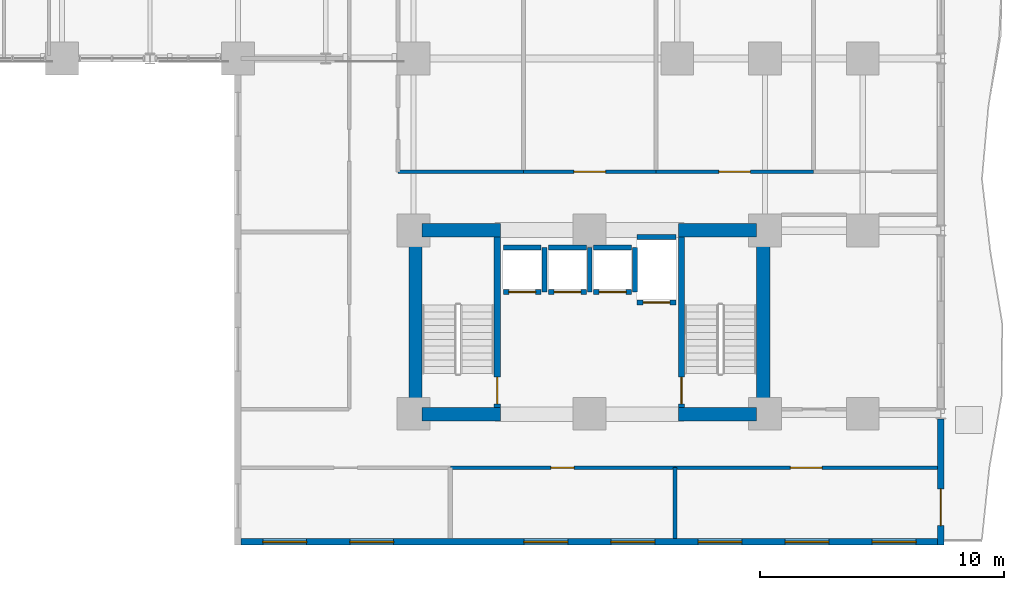
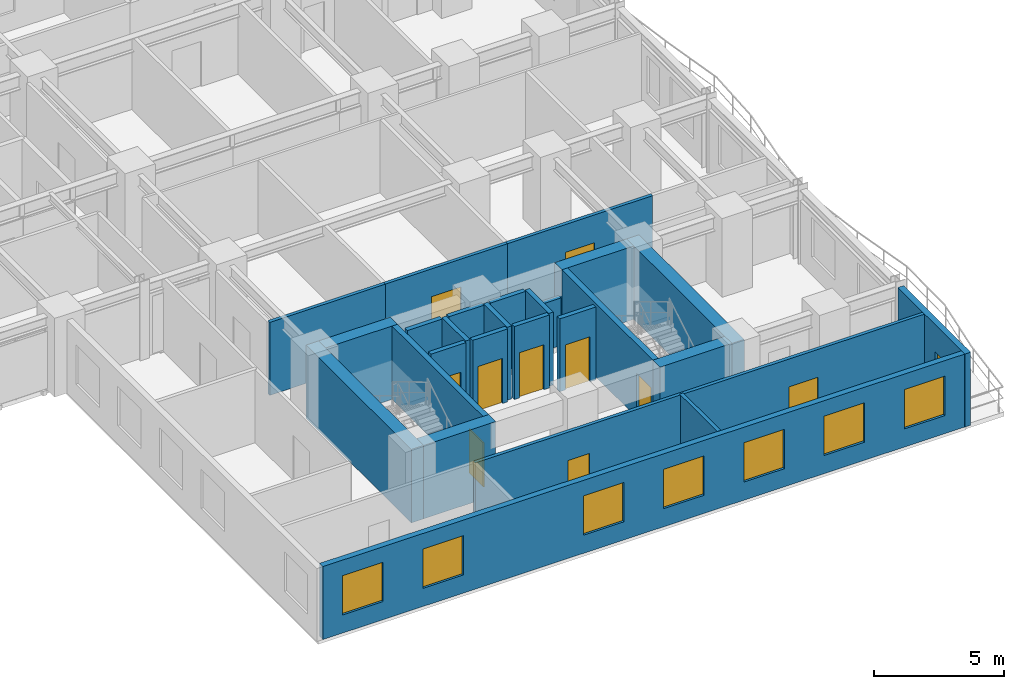
# One storey, part 10 of 17: 27 walls, 11 doors, 7 windows, 18 openings.
"""IFC4 building model written with IfcOpenShell, lengths in metres."""

from ifc_helpers import new_model, si_unit, direction, frame, frame_2d, origin, place, context, subcontext, project, spatial, rectangle, extrude, material, layer, layer_set, type_object, element, fill, save


model = new_model("IFC4")

# Units and contexts
model_context = context("Model", 3, precision=1e-05, world=origin(), true_north=direction((0.0, 1.0)))
body_context = subcontext(model_context, "Body", "Model", "MODEL_VIEW")
ifc_project = project(units=[si_unit("LENGTHUNIT", "METRE"), si_unit("AREAUNIT", "SQUARE_METRE"), si_unit("VOLUMEUNIT", "CUBIC_METRE"), si_unit("PLANEANGLEUNIT", "RADIAN"), si_unit("MASSUNIT", "GRAM", prefix="KILO")], contexts=[model_context])

# Site, building, storey
site_placement = place(None, origin())
site = spatial("IfcSite", under=ifc_project, at=site_placement, CompositionType="ELEMENT")
building_placement = place(site_placement, origin())
building = spatial("IfcBuilding", under=site, at=building_placement, Name="Kaliganga Portal Commons", CompositionType="ELEMENT")
storey_placement = place(building_placement, frame((0.0, 0.0, 43.800048828125)))
storey = spatial("IfcBuildingStorey", under=building, at=storey_placement, Name="L10", CompositionType="ELEMENT", Elevation=43.800048828125)

# Walls
ifc_material_1 = material(Name="Concrete C60/75", Category="concrete")
ifc_layer_1 = layer(ifc_material_1, 0.550048828125)
ifc_layer_set_1 = layer_set([ifc_layer_1], Name="Concrete C60/75")
wall_type_1 = type_object("IfcWallType", Name="WL-CORE-550", PredefinedType="SHEAR", material=ifc_layer_set_1)
for number, where, z_axis, x_axis, name in (
    (1, (36.074951171875, 6.75, 0.0), (0.0, 0.0, 1.0), (0.0, 1.0, 0.0), "Core B West Shear Wall L10"),
    (2, (50.324951171875, 6.75, 0.0), (0.0, 0.0, 1.0), (0.0, 1.0, 0.0), "Core B East Shear Wall L10"),
):
    element("IfcWall", number, at=place(storey_placement, frame(where, z_axis=z_axis, x_axis=x_axis)), inside=storey, type_object=wall_type_1, Name=name, PredefinedType="SHEAR", context=body_context, shape_type="SweptSolid", body=[
        extrude(rectangle(XDim=8.10009765625, YDim=0.550048828125, at=frame_2d((4.050048828125, 0.0))), origin(), (0.0, 0.0, 1.0), 3.449951171875),
    ])
for number, where, z_axis, x_axis, name in (
    (3, (36.35009765625, 7.02490234375, 0.0), (0.0, 0.0, 1.0), (1.0, 0.0, 0.0), "Core B S-West Shear Wall L10"),
    (4, (46.85009765625, 7.02490234375, 0.0), (0.0, 0.0, 1.0), (1.0, 0.0, 0.0), "Core B S-East Shear Wall L10"),
    (5, (36.35009765625, 14.574951171875, 0.0), (0.0, 0.0, 1.0), (1.0, 0.0, 0.0), "Core B N-West Shear Wall L10"),
    (6, (46.85009765625, 14.574951171875, 0.0), (0.0, 0.0, 1.0), (1.0, 0.0, 0.0), "Core B N-East Shear Wall L10"),
):
    element("IfcWall", number, at=place(storey_placement, frame(where, z_axis=z_axis, x_axis=x_axis)), inside=storey, type_object=wall_type_1, Name=name, PredefinedType="SHEAR", context=body_context, shape_type="SweptSolid", body=[
        extrude(rectangle(XDim=3.199951171875, YDim=0.550048828125, at=frame_2d((1.60009765625, 0.0))), origin(), (0.0, 0.0, 1.0), 3.449951171875),
    ])

# Wall, openings, windows
ifc_material_2 = material(Name="Insulated Aluminium-Clad Spandrel Assembly", Category="aluminium")
ifc_layer_2 = layer(ifc_material_2, 0.260009765625)
ifc_layer_set_2 = layer_set([ifc_layer_2], Name="Insulated Aluminium-Clad Spandrel Assembly")
wall_type_2 = type_object("IfcWallType", Name="WL-EXT-SPAND-260", PredefinedType="STANDARD", material=ifc_layer_set_2)
wall_1_placement = place(storey_placement, frame((57.465087890625, 1.800048828125, 0.0), z_axis=(0.0, 0.0, 1.0), x_axis=(-1.0, 0.0, 0.0)))
wall_1 = element("IfcWall", 7, at=wall_1_placement, inside=storey, type_object=wall_type_2, Name="Exterior Envelope Wall L10 P1-E00-S1", PredefinedType="STANDARD", context=body_context, shape_type="SweptSolid", body=[
    extrude(rectangle(XDim=28.530029296875, YDim=0.260009765625, at=frame_2d((14.26513671875, 0.0))), origin(), (0.0, 0.0, 1.0), 3.429931640625),
])
opening_1_placement = place(wall_1_placement, frame((0.883056640625, 0.0, 0.85009765625)))
opening_1 = element("IfcOpeningElement", 8, at=opening_1_placement, cuts=wall_1, Name="Opening W-01", PredefinedType="OPENING", context=body_context, shape_type="SweptSolid", body=[
    extrude(rectangle(XDim=1.800048828125, YDim=1.85009765625, at=frame_2d((0.89990234375, 0.925048828125))), frame((0.0, 0.14013671875, 0.0), z_axis=(0.0, -1.0, 0.0), x_axis=(1.0, 0.0, 0.0)), (0.0, 0.0, 1.0), 0.280029296875),
])
opening_2_placement = place(wall_1_placement, frame((4.449462890625, 0.0, 0.85009765625)))
opening_2 = element("IfcOpeningElement", 9, at=opening_2_placement, cuts=wall_1, Name="Opening W-01", PredefinedType="OPENING", context=body_context, shape_type="SweptSolid", body=[
    extrude(rectangle(XDim=1.800048828125, YDim=1.85009765625, at=frame_2d((0.89990234375, 0.925048828125))), frame((0.0, 0.14013671875, 0.0), z_axis=(0.0, -1.0, 0.0), x_axis=(1.0, 0.0, 0.0)), (0.0, 0.0, 1.0), 0.280029296875),
])
opening_3_placement = place(wall_1_placement, frame((8.015625, 0.0, 0.85009765625)))
opening_3 = element("IfcOpeningElement", 10, at=opening_3_placement, cuts=wall_1, Name="Opening W-01", PredefinedType="OPENING", context=body_context, shape_type="SweptSolid", body=[
    extrude(rectangle(XDim=1.800048828125, YDim=1.85009765625, at=frame_2d((0.89990234375, 0.925048828125))), frame((0.0, 0.14013671875, 0.0), z_axis=(0.0, -1.0, 0.0), x_axis=(1.0, 0.0, 0.0)), (0.0, 0.0, 1.0), 0.280029296875),
])
opening_4_placement = place(wall_1_placement, frame((11.581787109375, 0.0, 0.85009765625)))
opening_4 = element("IfcOpeningElement", 11, at=opening_4_placement, cuts=wall_1, Name="Opening W-01", PredefinedType="OPENING", context=body_context, shape_type="SweptSolid", body=[
    extrude(rectangle(XDim=1.800048828125, YDim=1.85009765625, at=frame_2d((0.89990234375, 0.925048828125))), frame((0.0, 0.14013671875, 0.0), z_axis=(0.0, -1.0, 0.0), x_axis=(1.0, 0.0, 0.0)), (0.0, 0.0, 1.0), 0.280029296875),
])
opening_5_placement = place(wall_1_placement, frame((15.148193359375, 0.0, 0.85009765625)))
opening_5 = element("IfcOpeningElement", 12, at=opening_5_placement, cuts=wall_1, Name="Opening W-01", PredefinedType="OPENING", context=body_context, shape_type="SweptSolid", body=[
    extrude(rectangle(XDim=1.800048828125, YDim=1.85009765625, at=frame_2d((0.89990234375, 0.925048828125))), frame((0.0, 0.14013671875, 0.0), z_axis=(0.0, -1.0, 0.0), x_axis=(1.0, 0.0, 0.0)), (0.0, 0.0, 1.0), 0.280029296875),
])
opening_6_placement = place(wall_1_placement, frame((22.280517578125, 0.0, 0.85009765625)))
opening_6 = element("IfcOpeningElement", 13, at=opening_6_placement, cuts=wall_1, Name="Opening W-01", PredefinedType="OPENING", context=body_context, shape_type="SweptSolid", body=[
    extrude(rectangle(XDim=1.800048828125, YDim=1.85009765625, at=frame_2d((0.89990234375, 0.925048828125))), frame((0.0, 0.14013671875, 0.0), z_axis=(0.0, -1.0, 0.0), x_axis=(1.0, 0.0, 0.0)), (0.0, 0.0, 1.0), 0.280029296875),
])
opening_7_placement = place(wall_1_placement, frame((25.846923828125, 0.0, 0.85009765625)))
opening_7 = element("IfcOpeningElement", 14, at=opening_7_placement, cuts=wall_1, Name="Opening W-01", PredefinedType="OPENING", context=body_context, shape_type="SweptSolid", body=[
    extrude(rectangle(XDim=1.800048828125, YDim=1.85009765625, at=frame_2d((0.89990234375, 0.925048828125))), frame((0.0, 0.14013671875, 0.0), z_axis=(0.0, -1.0, 0.0), x_axis=(1.0, 0.0, 0.0)), (0.0, 0.0, 1.0), 0.280029296875),
])
ifc_material_3 = material(Name="Thermally Broken Aluminium and Low-E Double Glazing", Category="aluminium")
window_type = type_object("IfcWindowType", Name="WIN-STD-1800", PartitioningType="DOUBLE_PANEL_VERTICAL", PredefinedType="WINDOW", material=ifc_material_3)
window_1_placement = place(opening_1_placement, origin())
window_1 = element("IfcWindow", 15, at=window_1_placement, inside=storey, type_object=window_type, Name="Facade Window L10-P1E00S1-00", OverallHeight=1.85009765625, OverallWidth=1.800048828125, PartitioningType="SINGLE_PANEL", PredefinedType="WINDOW", context=body_context, shape_type="SweptSolid", body=[
    extrude(rectangle(XDim=1.800048828125, YDim=1.85009765625, at=frame_2d((0.89990234375, 0.925048828125))), frame((0.0, 0.030029296875, 0.0), z_axis=(0.0, -1.0, 0.0), x_axis=(1.0, 0.0, 0.0)), (0.0, 0.0, 1.0), 0.06005859375),
])
fill(opening_1, window_1)
window_2_placement = place(opening_2_placement, origin())
window_2 = element("IfcWindow", 16, at=window_2_placement, inside=storey, type_object=window_type, Name="Facade Window L10-P1E00S1-01", OverallHeight=1.85009765625, OverallWidth=1.800048828125, PartitioningType="SINGLE_PANEL", PredefinedType="WINDOW", context=body_context, shape_type="SweptSolid", body=[
    extrude(rectangle(XDim=1.800048828125, YDim=1.85009765625, at=frame_2d((0.89990234375, 0.925048828125))), frame((0.0, 0.030029296875, 0.0), z_axis=(0.0, -1.0, 0.0), x_axis=(1.0, 0.0, 0.0)), (0.0, 0.0, 1.0), 0.06005859375),
])
fill(opening_2, window_2)
window_3_placement = place(opening_3_placement, origin())
window_3 = element("IfcWindow", 17, at=window_3_placement, inside=storey, type_object=window_type, Name="Facade Window L10-P1E00S1-02", OverallHeight=1.85009765625, OverallWidth=1.800048828125, PartitioningType="SINGLE_PANEL", PredefinedType="WINDOW", context=body_context, shape_type="SweptSolid", body=[
    extrude(rectangle(XDim=1.800048828125, YDim=1.85009765625, at=frame_2d((0.89990234375, 0.925048828125))), frame((0.0, 0.030029296875, 0.0), z_axis=(0.0, -1.0, 0.0), x_axis=(1.0, 0.0, 0.0)), (0.0, 0.0, 1.0), 0.06005859375),
])
fill(opening_3, window_3)
window_4_placement = place(opening_4_placement, origin())
window_4 = element("IfcWindow", 18, at=window_4_placement, inside=storey, type_object=window_type, Name="Facade Window L10-P1E00S1-03", OverallHeight=1.85009765625, OverallWidth=1.800048828125, PartitioningType="SINGLE_PANEL", PredefinedType="WINDOW", context=body_context, shape_type="SweptSolid", body=[
    extrude(rectangle(XDim=1.800048828125, YDim=1.85009765625, at=frame_2d((0.89990234375, 0.925048828125))), frame((0.0, 0.030029296875, 0.0), z_axis=(0.0, -1.0, 0.0), x_axis=(1.0, 0.0, 0.0)), (0.0, 0.0, 1.0), 0.06005859375),
])
fill(opening_4, window_4)
window_5_placement = place(opening_5_placement, origin())
window_5 = element("IfcWindow", 19, at=window_5_placement, inside=storey, type_object=window_type, Name="Facade Window L10-P1E00S1-04", OverallHeight=1.85009765625, OverallWidth=1.800048828125, PartitioningType="SINGLE_PANEL", PredefinedType="WINDOW", context=body_context, shape_type="SweptSolid", body=[
    extrude(rectangle(XDim=1.800048828125, YDim=1.85009765625, at=frame_2d((0.89990234375, 0.925048828125))), frame((0.0, 0.030029296875, 0.0), z_axis=(0.0, -1.0, 0.0), x_axis=(1.0, 0.0, 0.0)), (0.0, 0.0, 1.0), 0.06005859375),
])
fill(opening_5, window_5)
window_6_placement = place(opening_6_placement, origin())
window_6 = element("IfcWindow", 20, at=window_6_placement, inside=storey, type_object=window_type, Name="Facade Window L10-P1E00S1-06", OverallHeight=1.85009765625, OverallWidth=1.800048828125, PartitioningType="SINGLE_PANEL", PredefinedType="WINDOW", context=body_context, shape_type="SweptSolid", body=[
    extrude(rectangle(XDim=1.800048828125, YDim=1.85009765625, at=frame_2d((0.89990234375, 0.925048828125))), frame((0.0, 0.030029296875, 0.0), z_axis=(0.0, -1.0, 0.0), x_axis=(1.0, 0.0, 0.0)), (0.0, 0.0, 1.0), 0.06005859375),
])
fill(opening_6, window_6)
window_7_placement = place(opening_7_placement, origin())
window_7 = element("IfcWindow", 21, at=window_7_placement, inside=storey, type_object=window_type, Name="Facade Window L10-P1E00S1-07", OverallHeight=1.85009765625, OverallWidth=1.800048828125, PartitioningType="SINGLE_PANEL", PredefinedType="WINDOW", context=body_context, shape_type="SweptSolid", body=[
    extrude(rectangle(XDim=1.800048828125, YDim=1.85009765625, at=frame_2d((0.89990234375, 0.925048828125))), frame((0.0, 0.030029296875, 0.0), z_axis=(0.0, -1.0, 0.0), x_axis=(1.0, 0.0, 0.0)), (0.0, 0.0, 1.0), 0.06005859375),
])
fill(opening_7, window_7)

# Wall, opening, door
wall_2_placement = place(storey_placement, frame((57.60009765625, 6.825927734375, 0.0), z_axis=(0.0, 0.0, 1.0), x_axis=(0.0, -1.0, 0.0)))
wall_2 = element("IfcWall", 22, at=wall_2_placement, inside=storey, type_object=wall_type_2, Name="Exterior Envelope Wall L10 P1-E01-S1", PredefinedType="STANDARD", context=body_context, shape_type="SweptSolid", body=[
    extrude(rectangle(XDim=5.156005859375, YDim=0.260009765625, at=frame_2d((2.578125, 0.0))), origin(), (0.0, 0.0, 1.0), 3.429931640625),
])
opening_8_placement = place(wall_2_placement, frame((2.85888671875, 0.0, 0.0)))
opening_8 = element("IfcOpeningElement", 23, at=opening_8_placement, cuts=wall_2, Name="Opening BD-01", PredefinedType="OPENING", context=body_context, shape_type="SweptSolid", body=[
    extrude(rectangle(XDim=1.5, YDim=2.14990234375, at=frame_2d((0.75, 1.074951171875))), frame((0.0, 0.14013671875, 0.0), z_axis=(0.0, -1.0, 0.0), x_axis=(1.0, 0.0, 0.0)), (0.0, 0.0, 1.0), 0.280029296875),
])
ifc_material_4 = material(Name="Anodized Aluminium and Laminated Safety Glass", Category="aluminium")
door_type_1 = type_object("IfcDoorType", Name="DR-BALC-1500", OperationType="SLIDING_TO_LEFT", PredefinedType="DOOR", material=ifc_material_4)
door_1_placement = place(opening_8_placement, origin())
door_1 = element("IfcDoor", 24, at=door_1_placement, inside=storey, type_object=door_type_1, Name="Balcony Sliding Door L10 balc_east", OperationType="SLIDING_TO_LEFT", OverallHeight=2.14990234375, OverallWidth=1.5, PredefinedType="DOOR", context=body_context, shape_type="SweptSolid", body=[
    extrude(rectangle(XDim=1.5, YDim=2.14990234375, at=frame_2d((0.75, 1.074951171875))), frame((0.0, 0.02490234375, 0.0), z_axis=(0.0, -1.0, 0.0), x_axis=(1.0, 0.0, 0.0)), (0.0, 0.0, 1.0), 0.050048828125),
])
fill(opening_8, door_1)

ifc_material_5 = material(Name="Fire-Rated Gypsum Board on Steel Stud", Category="steel")
ifc_layer_3 = layer(ifc_material_5, 0.14990234375)
ifc_layer_set_3 = layer_set([ifc_layer_3], Name="Fire-Rated Gypsum Board on Steel Stud")
wall_type_3 = type_object("IfcWallType", Name="WL-PART-CORR-150", PredefinedType="PARTITIONING", material=ifc_layer_set_3)
wall_3_placement = place(storey_placement, frame((46.699951171875, 4.840087890625, 0.0), z_axis=(0.0, 0.0, 1.0), x_axis=(1.0, 0.0, 0.0)))
wall_3 = element("IfcWall", 25, at=wall_3_placement, inside=storey, type_object=wall_type_3, Name="Interior Partition L10-008", PredefinedType="PARTITIONING", context=body_context, shape_type="SweptSolid", body=[
    extrude(rectangle(XDim=10.76806640625, YDim=0.14990234375, at=frame_2d((5.384033203125, 0.0))), origin(), (0.0, 0.0, 1.0), 3.429931640625),
])
opening_9_placement = place(wall_3_placement, frame((4.73388671875, 0.0, 0.0)))
opening_9 = element("IfcOpeningElement", 26, at=opening_9_placement, cuts=wall_3, Name="Opening RD-03", PredefinedType="OPENING", context=body_context, shape_type="SweptSolid", body=[
    extrude(rectangle(XDim=1.300048828125, YDim=2.1201171875, at=frame_2d((0.64990234375, 1.06005859375))), frame((0.0, 0.0849609375, 0.0), z_axis=(0.0, -1.0, 0.0), x_axis=(1.0, 0.0, 0.0)), (0.0, 0.0, 1.0), 0.169921875),
])
ifc_material_6 = material(Name="Glazed Timber Seminar Vision Door", Category="wood")
door_type_2 = type_object("IfcDoorType", Name="DR-STUDY-1300", OperationType="DOUBLE_DOOR_SINGLE_SWING", PredefinedType="DOOR", material=ifc_material_6)
door_2_placement = place(opening_9_placement, origin())
door_2 = element("IfcDoor", 27, at=door_2_placement, inside=storey, type_object=door_type_2, Name="Interior Door L10-BS03", OperationType="DOUBLE_DOOR_SINGLE_SWING", OverallHeight=2.1201171875, OverallWidth=1.300048828125, PredefinedType="DOOR", context=body_context, shape_type="SweptSolid", body=[
    extrude(rectangle(XDim=1.300048828125, YDim=2.1201171875, at=frame_2d((0.64990234375, 1.06005859375))), frame((0.0, 0.02490234375, 0.0), z_axis=(0.0, -1.0, 0.0), x_axis=(1.0, 0.0, 0.0)), (0.0, 0.0, 1.0), 0.050048828125),
])
fill(opening_9, door_2)

wall_4_placement = place(storey_placement, frame((37.5, 4.840087890625, 0.0), z_axis=(0.0, 0.0, 1.0), x_axis=(1.0, 0.0, 0.0)))
wall_4 = element("IfcWall", 28, at=wall_4_placement, inside=storey, type_object=wall_type_3, Name="Interior Partition L10-012", PredefinedType="PARTITIONING", context=body_context, shape_type="SweptSolid", body=[
    extrude(rectangle(XDim=9.199951171875, YDim=0.14990234375, at=frame_2d((4.60009765625, 0.0))), origin(), (0.0, 0.0, 1.0), 3.429931640625),
])
opening_10_placement = place(wall_4_placement, frame((4.125, 0.0, 0.0)))
opening_10 = element("IfcOpeningElement", 29, at=opening_10_placement, cuts=wall_4, Name="Opening UD-01", PredefinedType="OPENING", context=body_context, shape_type="SweptSolid", body=[
    extrude(rectangle(XDim=0.949951171875, YDim=2.10009765625, at=frame_2d((0.47509765625, 1.050048828125))), frame((0.0, 0.0849609375, 0.0), z_axis=(0.0, -1.0, 0.0), x_axis=(1.0, 0.0, 0.0)), (0.0, 0.0, 1.0), 0.169921875),
])
ifc_material_7 = material(Name="Solid-Core Timber Acoustic Fire Door", Category="wood")
door_type_3 = type_object("IfcDoorType", Name="DR-UNIT-950", OperationType="NOTDEFINED", PredefinedType="DOOR", material=ifc_material_7)
door_3_placement = place(opening_10_placement, origin())
door_3 = element("IfcDoor", 30, at=door_3_placement, inside=storey, type_object=door_type_3, Name="Interior Door L10-BS02", OperationType="SINGLE_SWING_LEFT", OverallHeight=2.10009765625, OverallWidth=0.949951171875, PredefinedType="DOOR", context=body_context, shape_type="SweptSolid", body=[
    extrude(rectangle(XDim=0.949951171875, YDim=2.10009765625, at=frame_2d((0.47509765625, 1.050048828125))), frame((0.0, 0.02490234375, 0.0), z_axis=(0.0, -1.0, 0.0), x_axis=(1.0, 0.0, 0.0)), (0.0, 0.0, 1.0), 0.050048828125),
])
fill(opening_10, door_3)

wall_5_placement = place(storey_placement, frame((45.919921875, 16.9599609375, 0.0), z_axis=(0.0, 0.0, 1.0), x_axis=(1.0, 0.0, 0.0)))
wall_5 = element("IfcWall", 31, at=wall_5_placement, inside=storey, type_object=wall_type_3, Name="Interior Partition L10-027", PredefinedType="PARTITIONING", context=body_context, shape_type="SweptSolid", body=[
    extrude(rectangle(XDim=6.4599609375, YDim=0.14990234375, at=frame_2d((3.22998046875, 0.0))), origin(), (0.0, 0.0, 1.0), 3.429931640625),
])
opening_11_placement = place(wall_5_placement, frame((2.580078125, 0.0, 0.0)))
opening_11 = element("IfcOpeningElement", 32, at=opening_11_placement, cuts=wall_5, Name="Opening RD-03", PredefinedType="OPENING", context=body_context, shape_type="SweptSolid", body=[
    extrude(rectangle(XDim=1.300048828125, YDim=2.1201171875, at=frame_2d((0.64990234375, 1.06005859375))), frame((0.0, 0.0849609375, 0.0), z_axis=(0.0, -1.0, 0.0), x_axis=(1.0, 0.0, 0.0)), (0.0, 0.0, 1.0), 0.169921875),
])
door_4_placement = place(opening_11_placement, origin())
door_4 = element("IfcDoor", 33, at=door_4_placement, inside=storey, type_object=door_type_2, Name="Interior Door L10-BM03", OperationType="DOUBLE_DOOR_SINGLE_SWING", OverallHeight=2.1201171875, OverallWidth=1.300048828125, PredefinedType="DOOR", context=body_context, shape_type="SweptSolid", body=[
    extrude(rectangle(XDim=1.300048828125, YDim=2.1201171875, at=frame_2d((0.64990234375, 1.06005859375))), frame((0.0, 0.02490234375, 0.0), z_axis=(0.0, -1.0, 0.0), x_axis=(1.0, 0.0, 0.0)), (0.0, 0.0, 1.0), 0.050048828125),
])
fill(opening_11, door_4)

wall_6_placement = place(storey_placement, frame((40.5, 16.9599609375, 0.0), z_axis=(0.0, 0.0, 1.0), x_axis=(1.0, 0.0, 0.0)))
wall_6 = element("IfcWall", 34, at=wall_6_placement, inside=storey, type_object=wall_type_3, Name="Interior Partition L10-029", PredefinedType="PARTITIONING", context=body_context, shape_type="SweptSolid", body=[
    extrude(rectangle(XDim=5.419921875, YDim=0.14990234375, at=frame_2d((2.7099609375, 0.0))), origin(), (0.0, 0.0, 1.0), 3.429931640625),
])
opening_12_placement = place(wall_6_placement, frame((2.06005859375, 0.0, 0.0)))
opening_12 = element("IfcOpeningElement", 35, at=opening_12_placement, cuts=wall_6, Name="Opening RD-03", PredefinedType="OPENING", context=body_context, shape_type="SweptSolid", body=[
    extrude(rectangle(XDim=1.300048828125, YDim=2.1201171875, at=frame_2d((0.64990234375, 1.06005859375))), frame((0.0, 0.0849609375, 0.0), z_axis=(0.0, -1.0, 0.0), x_axis=(1.0, 0.0, 0.0)), (0.0, 0.0, 1.0), 0.169921875),
])
door_5_placement = place(opening_12_placement, origin())
door_5 = element("IfcDoor", 36, at=door_5_placement, inside=storey, type_object=door_type_2, Name="Interior Door L10-BM02", OperationType="DOUBLE_DOOR_SINGLE_SWING", OverallHeight=2.1201171875, OverallWidth=1.300048828125, PredefinedType="DOOR", context=body_context, shape_type="SweptSolid", body=[
    extrude(rectangle(XDim=1.300048828125, YDim=2.1201171875, at=frame_2d((0.64990234375, 1.06005859375))), frame((0.0, 0.02490234375, 0.0), z_axis=(0.0, -1.0, 0.0), x_axis=(1.0, 0.0, 0.0)), (0.0, 0.0, 1.0), 0.050048828125),
])
fill(opening_12, door_5)

# Walls
wall_7_placement = place(storey_placement, frame((35.360107421875, 16.9599609375, 0.0), z_axis=(0.0, 0.0, 1.0), x_axis=(1.0, 0.0, 0.0)))
element("IfcWall", 37, at=wall_7_placement, inside=storey, type_object=wall_type_3, Name="Interior Partition L10-032", PredefinedType="PARTITIONING", context=body_context, shape_type="SweptSolid", body=[
    extrude(rectangle(XDim=5.139892578125, YDim=0.14990234375, at=frame_2d((2.56982421875, 0.0))), origin(), (0.0, 0.0, 1.0), 3.429931640625),
])
ifc_material_8 = material(Name="Twin-Stud Acoustic Gypsum Partition", Category="gypsum")
ifc_layer_4 = layer(ifc_material_8, 0.1650390625)
ifc_layer_set_4 = layer_set([ifc_layer_4], Name="Twin-Stud Acoustic Gypsum Partition")
wall_type_4 = type_object("IfcWallType", Name="WL-PART-UNIT-165", PredefinedType="PARTITIONING", material=ifc_layer_set_4)
wall_8_placement = place(storey_placement, frame((46.699951171875, 1.931884765625, 0.0), z_axis=(0.0, 0.0, 1.0), x_axis=(0.0, 1.0, 0.0)))
element("IfcWall", 38, at=wall_8_placement, inside=storey, type_object=wall_type_4, Name="Interior Partition L10-091", PredefinedType="PARTITIONING", context=body_context, shape_type="SweptSolid", body=[
    extrude(rectangle(XDim=2.908203125, YDim=0.1650390625, at=frame_2d((1.4541015625, 0.0))), origin(), (0.0, 0.0, 1.0), 3.429931640625),
])

# Wall, opening, door
ifc_material_9 = material(Name="Fire-Rated Shaftwall Masonry Assembly", Category="masonry")
ifc_layer_5 = layer(ifc_material_9, 0.199951171875)
ifc_layer_set_5 = layer_set([ifc_layer_5], Name="Fire-Rated Shaftwall Masonry Assembly")
wall_type_5 = type_object("IfcWallType", Name="WL-SHAFT-200", PredefinedType="PARTITIONING", material=ifc_layer_set_5)
wall_9_placement = place(storey_placement, frame((39.675048828125, 12.034912109375, 0.0), z_axis=(0.0, 0.0, 1.0), x_axis=(1.0, 0.0, 0.0)))
wall_9 = element("IfcWall", 39, at=wall_9_placement, inside=storey, type_object=wall_type_5, Name="Lift PL-B1 Hoistway Shaft Wall L10-S", PredefinedType="PARTITIONING", context=body_context, shape_type="SweptSolid", body=[
    extrude(rectangle(XDim=1.550048828125, YDim=0.199951171875, at=frame_2d((0.77490234375, 0.0))), origin(), (0.0, 0.0, 1.0), 3.429931640625),
])
opening_13_placement = place(wall_9_placement, frame((0.22509765625, 0.0, 0.0)))
opening_13 = element("IfcOpeningElement", 40, at=opening_13_placement, cuts=wall_9, Name="Opening LD-01", PredefinedType="OPENING", context=body_context, shape_type="SweptSolid", body=[
    extrude(rectangle(XDim=1.10009765625, YDim=2.1201171875, at=frame_2d((0.550048828125, 1.06005859375))), frame((0.0, 0.10986328125, 0.0), z_axis=(0.0, -1.0, 0.0), x_axis=(1.0, 0.0, 0.0)), (0.0, 0.0, 1.0), 0.219970703125),
])
ifc_material_10 = material(Name="Brushed Stainless Steel 316 Lift Landing Door", Category="steel")
door_type_4 = type_object("IfcDoorType", Name="DR-LIFT-1100", OperationType="SLIDING_TO_LEFT", PredefinedType="DOOR", material=ifc_material_10)
door_6_placement = place(opening_13_placement, origin())
door_6 = element("IfcDoor", 41, at=door_6_placement, inside=storey, type_object=door_type_4, Name="Lift PL-B1 Sliding Landing Door L10", OperationType="SLIDING_TO_LEFT", OverallHeight=2.1201171875, OverallWidth=1.10009765625, PredefinedType="DOOR", context=body_context, shape_type="SweptSolid", body=[
    extrude(rectangle(XDim=1.10009765625, YDim=2.1201171875, at=frame_2d((0.550048828125, 1.06005859375))), frame((0.0, 0.02490234375, 0.0), z_axis=(0.0, -1.0, 0.0), x_axis=(1.0, 0.0, 0.0)), (0.0, 0.0, 1.0), 0.050048828125),
])
fill(opening_13, door_6)

# Walls
wall_10_placement = place(storey_placement, frame((39.675048828125, 13.864990234375, 0.0), z_axis=(0.0, 0.0, 1.0), x_axis=(1.0, 0.0, 0.0)))
element("IfcWall", 42, at=wall_10_placement, inside=storey, type_object=wall_type_5, Name="Lift PL-B1 Hoistway Shaft Wall L10-N", PredefinedType="PARTITIONING", context=body_context, shape_type="SweptSolid", body=[
    extrude(rectangle(XDim=1.550048828125, YDim=0.199951171875, at=frame_2d((0.77490234375, 0.0))), origin(), (0.0, 0.0, 1.0), 3.429931640625),
])
wall_11_placement = place(storey_placement, frame((41.364990234375, 12.034912109375, 0.0), z_axis=(0.0, 0.0, 1.0), x_axis=(0.0, 1.0, 0.0)))
element("IfcWall", 43, at=wall_11_placement, inside=storey, type_object=wall_type_5, Name="Lift PL-B1 Hoistway Shaft Wall L10-E", PredefinedType="PARTITIONING", context=body_context, shape_type="SweptSolid", body=[
    extrude(rectangle(XDim=1.830078125, YDim=0.199951171875, at=frame_2d((0.9150390625, 0.0))), origin(), (0.0, 0.0, 1.0), 3.429931640625),
])

# Wall, opening, door
wall_12_placement = place(storey_placement, frame((41.52490234375, 12.034912109375, 0.0), z_axis=(0.0, 0.0, 1.0), x_axis=(1.0, 0.0, 0.0)))
wall_12 = element("IfcWall", 44, at=wall_12_placement, inside=storey, type_object=wall_type_5, Name="Lift PL-B2 Hoistway Shaft Wall L10-S", PredefinedType="PARTITIONING", context=body_context, shape_type="SweptSolid", body=[
    extrude(rectangle(XDim=1.550048828125, YDim=0.199951171875, at=frame_2d((0.77490234375, 0.0))), origin(), (0.0, 0.0, 1.0), 3.429931640625),
])
opening_14_placement = place(wall_12_placement, frame((0.22509765625, 0.0, 0.0)))
opening_14 = element("IfcOpeningElement", 45, at=opening_14_placement, cuts=wall_12, Name="Opening LD-01", PredefinedType="OPENING", context=body_context, shape_type="SweptSolid", body=[
    extrude(rectangle(XDim=1.10009765625, YDim=2.1201171875, at=frame_2d((0.550048828125, 1.06005859375))), frame((0.0, 0.10986328125, 0.0), z_axis=(0.0, -1.0, 0.0), x_axis=(1.0, 0.0, 0.0)), (0.0, 0.0, 1.0), 0.219970703125),
])
door_7_placement = place(opening_14_placement, origin())
door_7 = element("IfcDoor", 46, at=door_7_placement, inside=storey, type_object=door_type_4, Name="Lift PL-B2 Sliding Landing Door L10", OperationType="SLIDING_TO_LEFT", OverallHeight=2.1201171875, OverallWidth=1.10009765625, PredefinedType="DOOR", context=body_context, shape_type="SweptSolid", body=[
    extrude(rectangle(XDim=1.10009765625, YDim=2.1201171875, at=frame_2d((0.550048828125, 1.06005859375))), frame((0.0, 0.02490234375, 0.0), z_axis=(0.0, -1.0, 0.0), x_axis=(1.0, 0.0, 0.0)), (0.0, 0.0, 1.0), 0.050048828125),
])
fill(opening_14, door_7)

# Walls
wall_13_placement = place(storey_placement, frame((41.52490234375, 13.864990234375, 0.0), z_axis=(0.0, 0.0, 1.0), x_axis=(1.0, 0.0, 0.0)))
element("IfcWall", 47, at=wall_13_placement, inside=storey, type_object=wall_type_5, Name="Lift PL-B2 Hoistway Shaft Wall L10-N", PredefinedType="PARTITIONING", context=body_context, shape_type="SweptSolid", body=[
    extrude(rectangle(XDim=1.550048828125, YDim=0.199951171875, at=frame_2d((0.77490234375, 0.0))), origin(), (0.0, 0.0, 1.0), 3.429931640625),
])
wall_14_placement = place(storey_placement, frame((43.215087890625, 12.034912109375, 0.0), z_axis=(0.0, 0.0, 1.0), x_axis=(0.0, 1.0, 0.0)))
element("IfcWall", 48, at=wall_14_placement, inside=storey, type_object=wall_type_5, Name="Lift PL-B2 Hoistway Shaft Wall L10-E", PredefinedType="PARTITIONING", context=body_context, shape_type="SweptSolid", body=[
    extrude(rectangle(XDim=1.830078125, YDim=0.199951171875, at=frame_2d((0.9150390625, 0.0))), origin(), (0.0, 0.0, 1.0), 3.429931640625),
])

# Wall, opening, door
wall_15_placement = place(storey_placement, frame((43.375, 12.034912109375, 0.0), z_axis=(0.0, 0.0, 1.0), x_axis=(1.0, 0.0, 0.0)))
wall_15 = element("IfcWall", 49, at=wall_15_placement, inside=storey, type_object=wall_type_5, Name="Lift SH-2 Hoistway Shaft Wall L10-S", PredefinedType="PARTITIONING", context=body_context, shape_type="SweptSolid", body=[
    extrude(rectangle(XDim=1.550048828125, YDim=0.199951171875, at=frame_2d((0.77490234375, 0.0))), origin(), (0.0, 0.0, 1.0), 3.429931640625),
])
opening_15_placement = place(wall_15_placement, frame((0.22509765625, 0.0, 0.0)))
opening_15 = element("IfcOpeningElement", 50, at=opening_15_placement, cuts=wall_15, Name="Opening LD-01", PredefinedType="OPENING", context=body_context, shape_type="SweptSolid", body=[
    extrude(rectangle(XDim=1.10009765625, YDim=2.1201171875, at=frame_2d((0.550048828125, 1.06005859375))), frame((0.0, 0.10986328125, 0.0), z_axis=(0.0, -1.0, 0.0), x_axis=(1.0, 0.0, 0.0)), (0.0, 0.0, 1.0), 0.219970703125),
])
door_8_placement = place(opening_15_placement, origin())
door_8 = element("IfcDoor", 51, at=door_8_placement, inside=storey, type_object=door_type_4, Name="Lift SH-2 Sliding Landing Door L10", OperationType="SLIDING_TO_LEFT", OverallHeight=2.1201171875, OverallWidth=1.10009765625, PredefinedType="DOOR", context=body_context, shape_type="SweptSolid", body=[
    extrude(rectangle(XDim=1.10009765625, YDim=2.1201171875, at=frame_2d((0.550048828125, 1.06005859375))), frame((0.0, 0.02490234375, 0.0), z_axis=(0.0, -1.0, 0.0), x_axis=(1.0, 0.0, 0.0)), (0.0, 0.0, 1.0), 0.050048828125),
])
fill(opening_15, door_8)

# Walls
wall_16_placement = place(storey_placement, frame((43.375, 13.864990234375, 0.0), z_axis=(0.0, 0.0, 1.0), x_axis=(1.0, 0.0, 0.0)))
element("IfcWall", 52, at=wall_16_placement, inside=storey, type_object=wall_type_5, Name="Lift SH-2 Hoistway Shaft Wall L10-N", PredefinedType="PARTITIONING", context=body_context, shape_type="SweptSolid", body=[
    extrude(rectangle(XDim=1.550048828125, YDim=0.199951171875, at=frame_2d((0.77490234375, 0.0))), origin(), (0.0, 0.0, 1.0), 3.429931640625),
])
wall_17_placement = place(storey_placement, frame((45.06494140625, 12.034912109375, 0.0), z_axis=(0.0, 0.0, 1.0), x_axis=(0.0, 1.0, 0.0)))
element("IfcWall", 53, at=wall_17_placement, inside=storey, type_object=wall_type_5, Name="Lift SH-2 Hoistway Shaft Wall L10-E", PredefinedType="PARTITIONING", context=body_context, shape_type="SweptSolid", body=[
    extrude(rectangle(XDim=1.830078125, YDim=0.199951171875, at=frame_2d((0.9150390625, 0.0))), origin(), (0.0, 0.0, 1.0), 3.429931640625),
])

# Wall, opening, door
wall_18_placement = place(storey_placement, frame((45.14990234375, 11.610107421875, 0.0), z_axis=(0.0, 0.0, 1.0), x_axis=(1.0, 0.0, 0.0)))
wall_18 = element("IfcWall", 54, at=wall_18_placement, inside=storey, type_object=wall_type_5, Name="Lift SL-B1 Hoistway Shaft Wall L10-S", PredefinedType="PARTITIONING", context=body_context, shape_type="SweptSolid", body=[
    extrude(rectangle(XDim=1.60009765625, YDim=0.199951171875, at=frame_2d((0.800048828125, 0.0))), origin(), (0.0, 0.0, 1.0), 3.429931640625),
])
opening_16_placement = place(wall_18_placement, frame((0.25, 0.0, 0.0)))
opening_16 = element("IfcOpeningElement", 55, at=opening_16_placement, cuts=wall_18, Name="Opening LD-01", PredefinedType="OPENING", context=body_context, shape_type="SweptSolid", body=[
    extrude(rectangle(XDim=1.10009765625, YDim=2.1201171875, at=frame_2d((0.550048828125, 1.06005859375))), frame((0.0, 0.10986328125, 0.0), z_axis=(0.0, -1.0, 0.0), x_axis=(1.0, 0.0, 0.0)), (0.0, 0.0, 1.0), 0.219970703125),
])
door_9_placement = place(opening_16_placement, origin())
door_9 = element("IfcDoor", 56, at=door_9_placement, inside=storey, type_object=door_type_4, Name="Lift SL-B1 Sliding Landing Door L10", OperationType="SLIDING_TO_LEFT", OverallHeight=2.1201171875, OverallWidth=1.10009765625, PredefinedType="DOOR", context=body_context, shape_type="SweptSolid", body=[
    extrude(rectangle(XDim=1.10009765625, YDim=2.1201171875, at=frame_2d((0.550048828125, 1.06005859375))), frame((0.0, 0.02490234375, 0.0), z_axis=(0.0, -1.0, 0.0), x_axis=(1.0, 0.0, 0.0)), (0.0, 0.0, 1.0), 0.050048828125),
])
fill(opening_16, door_9)

# Wall
wall_19_placement = place(storey_placement, frame((45.14990234375, 14.2900390625, 0.0), z_axis=(0.0, 0.0, 1.0), x_axis=(1.0, 0.0, 0.0)))
element("IfcWall", 57, at=wall_19_placement, inside=storey, type_object=wall_type_5, Name="Lift SL-B1 Hoistway Shaft Wall L10-N", PredefinedType="PARTITIONING", context=body_context, shape_type="SweptSolid", body=[
    extrude(rectangle(XDim=1.60009765625, YDim=0.199951171875, at=frame_2d((0.800048828125, 0.0))), origin(), (0.0, 0.0, 1.0), 2.22998046875),
])

# Wall, opening, door
ifc_material_11 = material(Name="Concrete C50/60", Category="concrete")
ifc_layer_6 = layer(ifc_material_11, 0.25)
ifc_layer_set_6 = layer_set([ifc_layer_6], Name="Concrete C50/60")
wall_type_6 = type_object("IfcWallType", Name="WL-STAIR-250", PredefinedType="SHEAR", material=ifc_layer_set_6)
wall_20_placement = place(storey_placement, frame((39.425048828125, 7.300048828125, 0.0), z_axis=(0.0, 0.0, 1.0), x_axis=(0.0, 1.0, 0.0)))
wall_20 = element("IfcWall", 58, at=wall_20_placement, inside=storey, type_object=wall_type_6, Name="Stair B1 Enclosure Shear Wall L10", PredefinedType="SHEAR", context=body_context, shape_type="SweptSolid", body=[
    extrude(rectangle(XDim=7.0, YDim=0.25, at=frame_2d((3.5, 0.0))), origin(), (0.0, 0.0, 1.0), 3.449951171875),
])
opening_17_placement = place(wall_20_placement, frame((0.14990234375, 0.0, 0.0)))
opening_17 = element("IfcOpeningElement", 59, at=opening_17_placement, cuts=wall_20, Name="Opening SD-01", PredefinedType="OPENING", context=body_context, shape_type="SweptSolid", body=[
    extrude(rectangle(XDim=1.10009765625, YDim=2.080078125, at=frame_2d((0.550048828125, 1.0400390625))), frame((0.0, 0.135009765625, 0.0), z_axis=(0.0, -1.0, 0.0), x_axis=(1.0, 0.0, 0.0)), (0.0, 0.0, 1.0), 0.27001953125),
])
ifc_material_12 = material(Name="Galvanized Steel Fire Door Leaf and Frame", Category="steel")
door_type_5 = type_object("IfcDoorType", Name="DR-STAIR-1100", OperationType="NOTDEFINED", PredefinedType="DOOR", material=ifc_material_12)
door_10_placement = place(opening_17_placement, origin())
door_10 = element("IfcDoor", 60, at=door_10_placement, inside=storey, type_object=door_type_5, Name="Protected Stair ST-B1 Fire Door L10", OperationType="SINGLE_SWING_RIGHT", OverallHeight=2.080078125, OverallWidth=1.10009765625, PredefinedType="DOOR", context=body_context, shape_type="SweptSolid", body=[
    extrude(rectangle(XDim=1.10009765625, YDim=2.080078125, at=frame_2d((0.550048828125, 1.0400390625))), frame((0.0, 0.02490234375, 0.0), z_axis=(0.0, -1.0, 0.0), x_axis=(1.0, 0.0, 0.0)), (0.0, 0.0, 1.0), 0.050048828125),
])
fill(opening_17, door_10)

wall_21_placement = place(storey_placement, frame((46.97509765625, 7.300048828125, 0.0), z_axis=(0.0, 0.0, 1.0), x_axis=(0.0, 1.0, 0.0)))
wall_21 = element("IfcWall", 61, at=wall_21_placement, inside=storey, type_object=wall_type_6, Name="Stair B2 Enclosure Shear Wall L10", PredefinedType="SHEAR", context=body_context, shape_type="SweptSolid", body=[
    extrude(rectangle(XDim=7.0, YDim=0.25, at=frame_2d((3.5, 0.0))), origin(), (0.0, 0.0, 1.0), 3.449951171875),
])
opening_18_placement = place(wall_21_placement, frame((0.14990234375, 0.0, 0.0)))
opening_18 = element("IfcOpeningElement", 62, at=opening_18_placement, cuts=wall_21, Name="Opening SD-01", PredefinedType="OPENING", context=body_context, shape_type="SweptSolid", body=[
    extrude(rectangle(XDim=1.10009765625, YDim=2.080078125, at=frame_2d((0.550048828125, 1.0400390625))), frame((0.0, 0.135009765625, 0.0), z_axis=(0.0, -1.0, 0.0), x_axis=(1.0, 0.0, 0.0)), (0.0, 0.0, 1.0), 0.27001953125),
])
door_11_placement = place(opening_18_placement, origin())
door_11 = element("IfcDoor", 63, at=door_11_placement, inside=storey, type_object=door_type_5, Name="Protected Stair ST-B2 Fire Door L10", OperationType="SINGLE_SWING_LEFT", OverallHeight=2.080078125, OverallWidth=1.10009765625, PredefinedType="DOOR", context=body_context, shape_type="SweptSolid", body=[
    extrude(rectangle(XDim=1.10009765625, YDim=2.080078125, at=frame_2d((0.550048828125, 1.0400390625))), frame((0.0, 0.02490234375, 0.0), z_axis=(0.0, -1.0, 0.0), x_axis=(1.0, 0.0, 0.0)), (0.0, 0.0, 1.0), 0.050048828125),
])
fill(opening_18, door_11)

save(model, "model.ifc")
